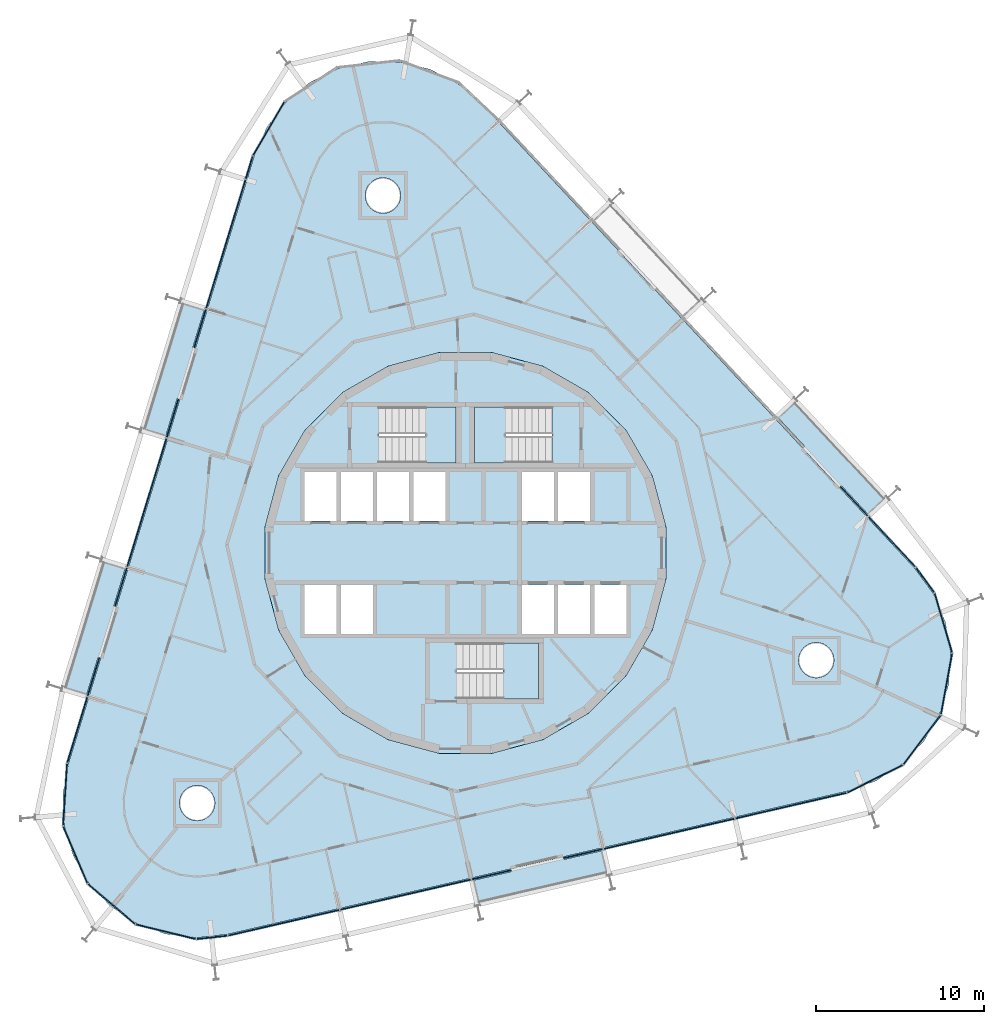
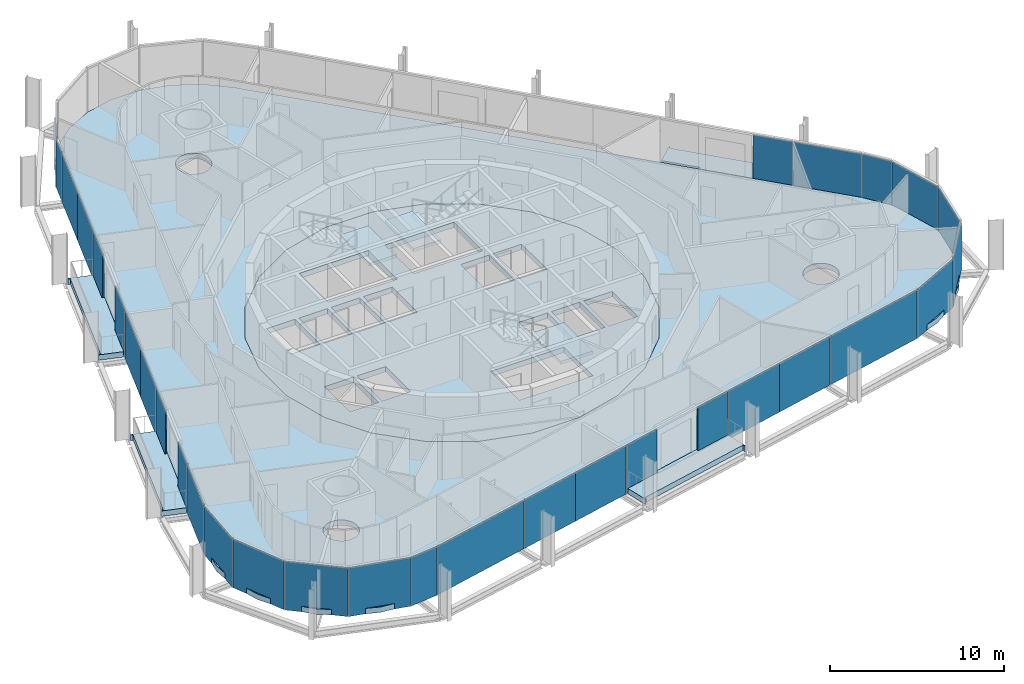
# One storey, part 10 of 18: 31 plates, 9 slabs, 9 elements without a shape of their own.
"""IFC4 building model written with IfcOpenShell, lengths in metres."""

from ifc_helpers import new_model, si_unit, direction, frame, origin, origin_2d, place, context, subcontext, project, spatial, polyline, rectangle, outline, extrude, material, layer, layer_set, type_object, element, aggregate, save


model = new_model("IFC4")

# Units and contexts
model_context = context("Model", 3, precision=1e-05, world=origin(), true_north=direction((0.0, 1.0)))
body_context = subcontext(model_context, "Body", "Model", "MODEL_VIEW")
ifc_project = project(units=[si_unit("LENGTHUNIT", "METRE"), si_unit("AREAUNIT", "SQUARE_METRE"), si_unit("VOLUMEUNIT", "CUBIC_METRE"), si_unit("PLANEANGLEUNIT", "RADIAN"), si_unit("MASSUNIT", "GRAM", prefix="KILO")], contexts=[model_context])

# Site, building, storey
site_placement = place(None, origin())
site = spatial("IfcSite", under=ifc_project, at=site_placement, CompositionType="ELEMENT")
building_placement = place(site_placement, origin())
building = spatial("IfcBuilding", under=site, at=building_placement, Name="Spindle Arch Residences", CompositionType="ELEMENT")
storey_placement = place(building_placement, frame((0.0, 0.0, 116.89990234375)))
storey = spatial("IfcBuildingStorey", under=building, at=storey_placement, Name="L28", CompositionType="ELEMENT", Elevation=116.89990234375)

# Slabs
ifc_material_1 = material(Name="Concrete C40/50", Category="concrete")
ifc_layer_1 = layer(ifc_material_1, 0.3798828125)
ifc_layer_set_1 = layer_set([ifc_layer_1], Name="Balcony slab 380")
slab_type_1 = type_object("IfcSlabType", Name="Balcony slab 380", PredefinedType="FLOOR", material=ifc_layer_set_1)
slab_1_placement = place(storey_placement, frame((0.0, 0.0, -0.3798828125)))
element("IfcSlab", 1, at=slab_1_placement, inside=storey, type_object=slab_type_1, Name="Balcony L28 bay 6", PredefinedType="FLOOR", context=body_context, shape_type="SweptSolid", body=[
    extrude(outline(polyline([(25.0107421875, 3.298095703125), (24.95947265625, 3.35302734375), (24.849853515625, 3.250732421875), (19.57861328125, 8.9033203125), (19.688232421875, 9.005615234375), (19.636962890625, 9.060546875), (18.54736328125, 8.04443359375), (20.142822265625, 6.333251953125), (20.02587890625, 6.22412109375), (22.208251953125, 3.8837890625), (22.325439453125, 3.992919921875), (23.9208984375, 2.281982421875), (25.0107421875, 3.298095703125)])), origin(), (0.0, 0.0, 1.0), 0.3798828125),
])
slab_2_placement = place(storey_placement, frame((0.0, 0.0, -0.3798828125)))
element("IfcSlab", 2, at=slab_2_placement, inside=storey, type_object=slab_type_1, Name="Balcony L28 bay 14", PredefinedType="FLOOR", context=body_context, shape_type="SweptSolid", body=[
    extrude(outline(polyline([(-16.926513671875, 14.891845703125), (-16.948486328125, 14.820068359375), (-16.804931640625, 14.7763671875), (-19.064697265625, 7.385009765625), (-19.208251953125, 7.4287109375), (-19.230224609375, 7.35693359375), (-17.80517578125, 6.92138671875), (-17.121337890625, 9.15869140625), (-16.96826171875, 9.112060546875), (-16.03271484375, 12.172119140625), (-16.185791015625, 12.218994140625), (-15.501708984375, 14.456298828125), (-16.926513671875, 14.891845703125)])), origin(), (0.0, 0.0, 1.0), 0.3798828125),
])
slab_3_placement = place(storey_placement, frame((0.0, 0.0, -0.3798828125)))
element("IfcSlab", 3, at=slab_3_placement, inside=storey, type_object=slab_type_1, Name="Balcony L28 bay 16", PredefinedType="FLOOR", context=body_context, shape_type="SweptSolid", body=[
    extrude(outline(polyline([(-21.62158203125, -0.46484375), (-21.6435546875, -0.536376953125), (-21.5, -0.580322265625), (-23.759765625, -7.9716796875), (-23.9033203125, -7.927978515625), (-23.92529296875, -7.999755859375), (-22.500244140625, -8.435302734375), (-21.816162109375, -6.197998046875), (-21.663330078125, -6.24462890625), (-20.727783203125, -3.1845703125), (-20.880615234375, -3.1376953125), (-20.196533203125, -0.900390625), (-21.62158203125, -0.46484375)])), origin(), (0.0, 0.0, 1.0), 0.3798828125),
])
slab_4_placement = place(storey_placement, frame((0.0, 0.0, -0.3798828125)))
element("IfcSlab", 4, at=slab_4_placement, inside=storey, type_object=slab_type_1, Name="Balcony L28 bay 22", PredefinedType="FLOOR", context=body_context, shape_type="SweptSolid", body=[
    extrude(outline(polyline([(0.781982421875, -20.900634765625), (0.855224609375, -20.8837890625), (0.821533203125, -20.737548828125), (8.3525390625, -18.9990234375), (8.38623046875, -19.14501953125), (8.459228515625, -19.128173828125), (8.1240234375, -17.676513671875), (5.844482421875, -18.20263671875), (5.80859375, -18.046875), (2.6904296875, -18.7666015625), (2.7265625, -18.922607421875), (0.447021484375, -19.44873046875), (0.781982421875, -20.900634765625)])), origin(), (0.0, 0.0, 1.0), 0.3798828125),
])
ifc_material_2 = material(Name="Concrete C50/60", Category="concrete")
ifc_layer_2 = layer(ifc_material_2, 0.3798828125)
ifc_layer_set_2 = layer_set([ifc_layer_2], Name="Core floor slab 380")
slab_type_2 = type_object("IfcSlabType", Name="Core floor slab 380", PredefinedType="FLOOR", material=ifc_layer_set_2)
slab_5_placement = place(storey_placement, frame((0.0, 0.0, -0.3798828125)))
element("IfcSlab", 5, at=slab_5_placement, inside=storey, type_object=slab_type_2, Name="Core floor L28", PredefinedType="FLOOR", context=body_context, shape_type="SweptSolid", body=[
    extrude(outline(polyline([(1.56640625, -11.897216796875), (4.59228515625, -11.086669921875), (7.30517578125, -9.520263671875), (9.520263671875, -7.30517578125), (11.086669921875, -4.59228515625), (11.897216796875, -1.56640625), (11.897216796875, 1.56640625), (11.086669921875, 4.59228515625), (9.520263671875, 7.30517578125), (7.30517578125, 9.520263671875), (4.59228515625, 11.086669921875), (1.56640625, 11.897216796875), (-1.56640625, 11.897216796875), (-4.59228515625, 11.086669921875), (-7.30517578125, 9.520263671875), (-9.520263671875, 7.30517578125), (-11.086669921875, 4.59228515625), (-11.897216796875, 1.56640625), (-11.897216796875, -1.56640625), (-11.086669921875, -4.59228515625), (-9.520263671875, -7.30517578125), (-7.30517578125, -9.520263671875), (-4.59228515625, -11.086669921875), (-1.56640625, -11.897216796875), (1.56640625, -11.897216796875)]), holes=[polyline([(-9.550048828125, 1.89990234375), (-7.64990234375, 1.89990234375), (-7.64990234375, 4.800048828125), (-9.550048828125, 4.800048828125), (-9.550048828125, 1.89990234375)]), polyline([(-7.39990234375, 1.89990234375), (-5.5, 1.89990234375), (-5.5, 4.800048828125), (-7.39990234375, 4.800048828125), (-7.39990234375, 1.89990234375)]), polyline([(-5.25, 1.89990234375), (-3.35009765625, 1.89990234375), (-3.35009765625, 4.800048828125), (-5.25, 4.800048828125), (-5.25, 1.89990234375)]), polyline([(-3.10009765625, 1.89990234375), (-1.199951171875, 1.89990234375), (-1.199951171875, 4.800048828125), (-3.10009765625, 4.800048828125), (-3.10009765625, 1.89990234375)]), polyline([(3.35009765625, 1.89990234375), (5.25, 1.89990234375), (5.25, 4.800048828125), (3.35009765625, 4.800048828125), (3.35009765625, 1.89990234375)]), polyline([(5.5, 1.89990234375), (7.39990234375, 1.89990234375), (7.39990234375, 4.800048828125), (5.5, 4.800048828125), (5.5, 1.89990234375)]), polyline([(-9.550048828125, -4.800048828125), (-7.64990234375, -4.800048828125), (-7.64990234375, -1.89990234375), (-9.550048828125, -1.89990234375), (-9.550048828125, -4.800048828125)]), polyline([(-7.39990234375, -4.800048828125), (-5.5, -4.800048828125), (-5.5, -1.89990234375), (-7.39990234375, -1.89990234375), (-7.39990234375, -4.800048828125)]), polyline([(3.35009765625, -4.800048828125), (5.25, -4.800048828125), (5.25, -1.89990234375), (3.35009765625, -1.89990234375), (3.35009765625, -4.800048828125)]), polyline([(5.5, -4.800048828125), (7.39990234375, -4.800048828125), (7.39990234375, -1.89990234375), (5.5, -1.89990234375), (5.5, -4.800048828125)]), polyline([(7.64990234375, -4.800048828125), (9.550048828125, -4.800048828125), (9.550048828125, -1.89990234375), (7.64990234375, -1.89990234375), (7.64990234375, -4.800048828125)]), polyline([(5.1298828125, 8.669921875), (0.550048828125, 8.669921875), (0.550048828125, 5.35009765625), (5.1298828125, 5.35009765625), (5.1298828125, 8.669921875)]), polyline([(-5.1298828125, 5.35009765625), (-0.550048828125, 5.35009765625), (-0.550048828125, 8.669921875), (-5.1298828125, 8.669921875), (-5.1298828125, 5.35009765625)]), polyline([(-0.530029296875, -8.669921875), (4.35009765625, -8.669921875), (4.35009765625, -5.35009765625), (-0.530029296875, -5.35009765625), (-0.530029296875, -8.669921875)])]), origin(), (0.0, 0.0, 1.0), 0.3798828125),
])

# Stair, slab
ifc_material_3 = material(Name="Concrete C50/60", Category="concrete")
stair_type = type_object("IfcStairType", Name="Exit stair 16 risers", PredefinedType="HALF_TURN_STAIR", material=ifc_material_3)
stair_1_placement = place(storey_placement, origin())
stair_1 = element("IfcStair", 6, at=stair_1_placement, inside=storey, type_object=stair_type, Name="L28 Exit stair ST1", PredefinedType="HALF_TURN_STAIR")
ifc_material_4 = material(Name="Concrete C50/60", Category="concrete")
ifc_layer_3 = layer(ifc_material_4, 0.219970703125)
ifc_layer_set_3 = layer_set([ifc_layer_3], Name="Exit stair landing 220")
slab_type_3 = type_object("IfcSlabType", Name="Exit stair landing 220", PredefinedType="LANDING", material=ifc_layer_set_3)
slab_6_placement = place(storey_placement, frame((0.0, 0.0, 1.530029296875)))
slab_6 = element("IfcSlab", 7, at=slab_6_placement, type_object=slab_type_3, Name="ST1 landing 1", PredefinedType="LANDING", context=body_context, shape_type="SweptSolid", body=[
    extrude(outline(polyline([(2.3701171875, 8.669921875), (0.550048828125, 8.669921875), (0.550048828125, 5.35009765625), (2.3701171875, 5.35009765625), (2.3701171875, 8.669921875)])), origin(), (0.0, 0.0, 1.0), 0.219970703125),
])
aggregate(stair_1, [slab_6])

stair_2_placement = place(storey_placement, origin())
stair_2 = element("IfcStair", 8, at=stair_2_placement, inside=storey, type_object=stair_type, Name="L28 Exit stair ST2", PredefinedType="HALF_TURN_STAIR")
slab_7_placement = place(storey_placement, frame((0.0, 0.0, 1.530029296875)))
slab_7 = element("IfcSlab", 9, at=slab_7_placement, type_object=slab_type_3, Name="ST2 landing 1", PredefinedType="LANDING", context=body_context, shape_type="SweptSolid", body=[
    extrude(outline(polyline([(-2.3701171875, 5.35009765625), (-0.550048828125, 5.35009765625), (-0.550048828125, 8.669921875), (-2.3701171875, 8.669921875), (-2.3701171875, 5.35009765625)])), origin(), (0.0, 0.0, 1.0), 0.219970703125),
])
aggregate(stair_2, [slab_7])

stair_3_placement = place(storey_placement, origin())
stair_3 = element("IfcStair", 10, at=stair_3_placement, inside=storey, type_object=stair_type, Name="L28 Exit stair ST3", PredefinedType="HALF_TURN_STAIR")
slab_8_placement = place(storey_placement, frame((0.0, 0.0, 1.530029296875)))
slab_8 = element("IfcSlab", 11, at=slab_8_placement, type_object=slab_type_3, Name="ST3 landing 1", PredefinedType="LANDING", context=body_context, shape_type="SweptSolid", body=[
    extrude(outline(polyline([(2.22998046875, -8.669921875), (4.35009765625, -8.669921875), (4.35009765625, -5.35009765625), (2.22998046875, -5.35009765625), (2.22998046875, -8.669921875)])), origin(), (0.0, 0.0, 1.0), 0.219970703125),
])
aggregate(stair_3, [slab_8])

# Slab
ifc_material_5 = material(Name="Concrete C40/50", Category="concrete")
ifc_layer_4 = layer(ifc_material_5, 0.3798828125)
ifc_layer_set_4 = layer_set([ifc_layer_4], Name="Floor slab 380")
slab_type_4 = type_object("IfcSlabType", Name="Floor slab 380", PredefinedType="FLOOR", material=ifc_layer_set_4)
slab_9_placement = place(storey_placement, frame((0.0, 0.0, -0.3798828125)))
element("IfcSlab", 12, at=slab_9_placement, inside=storey, type_object=slab_type_4, Name="Floor slab L28", PredefinedType="FLOOR", context=body_context, shape_type="SweptSolid", body=[
    extrude(outline(polyline([(-15.976806640625, -22.85498046875), (-17.8203125, -22.628662109375), (-19.56201171875, -21.983154296875), (-21.108154296875, -20.95361328125), (-22.375, -19.594970703125), (-23.294189453125, -17.98095703125), (-23.816650390625, -16.198486328125), (-23.913818359375, -14.343505859375), (-23.58056640625, -12.51611328125), (-12.55029296875, 23.5625), (-11.8046875, 25.263916015625), (-10.686767578125, 26.747314453125), (-9.257080078125, 27.932861328125), (-7.59228515625, 28.7568359375), (-5.7822265625, 29.1748046875), (-3.9248046875, 29.163818359375), (-2.1201171875, 28.72509765625), (-0.465087890625, 27.881591796875), (0.950927734375, 26.679443359375), (26.680908203125, -0.912353515625), (27.781494140625, -2.40869140625), (28.507080078125, -4.11865234375), (28.819091796875, -5.94970703125), (28.7001953125, -7.803466796875), (28.1572265625, -9.57958984375), (27.218994140625, -11.182861328125), (25.9365234375, -12.526611328125), (24.37890625, -13.5380859375), (22.629638671875, -14.163330078125), (4.24951171875, -18.40673828125), (-14.130615234375, -22.650146484375), (-15.976806640625, -22.85498046875)]), holes=[polyline([(7.30517578125, -9.520263671875), (9.520263671875, -7.30517578125), (11.086669921875, -4.59228515625), (11.897216796875, -1.56640625), (11.897216796875, 1.56640625), (11.086669921875, 4.59228515625), (9.520263671875, 7.30517578125), (7.30517578125, 9.520263671875), (4.59228515625, 11.086669921875), (1.56640625, 11.897216796875), (-1.56640625, 11.897216796875), (-4.59228515625, 11.086669921875), (-7.30517578125, 9.520263671875), (-9.520263671875, 7.30517578125), (-11.086669921875, 4.59228515625), (-11.897216796875, 1.56640625), (-11.897216796875, -1.56640625), (-11.086669921875, -4.59228515625), (-9.520263671875, -7.30517578125), (-7.30517578125, -9.520263671875), (-4.59228515625, -11.086669921875), (-1.56640625, -11.897216796875), (1.56640625, -11.897216796875), (4.59228515625, -11.086669921875), (7.30517578125, -9.520263671875)]), polyline([(-15.187744140625, -15.59765625), (-15.05712890625, -15.4384765625), (-14.960205078125, -15.257080078125), (-14.900390625, -15.06005859375), (-14.880126953125, -14.855224609375), (-14.900390625, -14.650390625), (-14.960205078125, -14.453369140625), (-15.05712890625, -14.27197265625), (-15.187744140625, -14.11279296875), (-15.346923828125, -13.982177734375), (-15.5283203125, -13.885009765625), (-15.725341796875, -13.825439453125), (-15.93017578125, -13.80517578125), (-16.135009765625, -13.825439453125), (-16.33203125, -13.885009765625), (-16.513427734375, -13.982177734375), (-16.672607421875, -14.11279296875), (-16.80322265625, -14.27197265625), (-16.900390625, -14.453369140625), (-16.9599609375, -14.650390625), (-16.980224609375, -14.855224609375), (-16.9599609375, -15.06005859375), (-16.900390625, -15.257080078125), (-16.80322265625, -15.4384765625), (-16.672607421875, -15.59765625), (-16.513427734375, -15.728271484375), (-16.33203125, -15.8251953125), (-16.135009765625, -15.885009765625), (-15.93017578125, -15.9052734375), (-15.725341796875, -15.885009765625), (-15.5283203125, -15.8251953125), (-15.346923828125, -15.728271484375), (-15.187744140625, -15.59765625)]), polyline([(-4.02685546875, 20.64013671875), (-3.9296875, 20.82177734375), (-3.8701171875, 21.018798828125), (-3.849853515625, 21.223388671875), (-3.8701171875, 21.42822265625), (-3.9296875, 21.625244140625), (-4.02685546875, 21.806884765625), (-4.1572265625, 21.966064453125), (-4.31640625, 22.096435546875), (-4.498046875, 22.193603515625), (-4.695068359375, 22.25341796875), (-4.89990234375, 22.2734375), (-5.1044921875, 22.25341796875), (-5.301513671875, 22.193603515625), (-5.483154296875, 22.096435546875), (-5.642333984375, 21.966064453125), (-5.772705078125, 21.806884765625), (-5.869873046875, 21.625244140625), (-5.9296875, 21.42822265625), (-5.94970703125, 21.223388671875), (-5.9296875, 21.018798828125), (-5.869873046875, 20.82177734375), (-5.772705078125, 20.64013671875), (-5.642333984375, 20.48095703125), (-5.483154296875, 20.3505859375), (-5.301513671875, 20.25341796875), (-5.1044921875, 20.193603515625), (-4.89990234375, 20.173583984375), (-4.695068359375, 20.193603515625), (-4.498046875, 20.25341796875), (-4.31640625, 20.3505859375), (-4.1572265625, 20.48095703125), (-4.02685546875, 20.64013671875)]), polyline([(21.702880859375, -6.95166015625), (21.800048828125, -6.770263671875), (21.85986328125, -6.5732421875), (21.8798828125, -6.368408203125), (21.85986328125, -6.16357421875), (21.800048828125, -5.966552734375), (21.702880859375, -5.78515625), (21.572509765625, -5.6259765625), (21.413330078125, -5.495361328125), (21.231689453125, -5.398193359375), (21.034912109375, -5.338623046875), (20.830078125, -5.318359375), (20.625244140625, -5.338623046875), (20.42822265625, -5.398193359375), (20.24658203125, -5.495361328125), (20.08740234375, -5.6259765625), (19.95703125, -5.78515625), (19.85986328125, -5.966552734375), (19.80029296875, -6.16357421875), (19.780029296875, -6.368408203125), (19.80029296875, -6.5732421875), (19.85986328125, -6.770263671875), (19.95703125, -6.95166015625), (20.08740234375, -7.11083984375), (20.24658203125, -7.241455078125), (20.42822265625, -7.33837890625), (20.625244140625, -7.398193359375), (20.830078125, -7.41845703125), (21.034912109375, -7.398193359375), (21.231689453125, -7.33837890625), (21.413330078125, -7.241455078125), (21.572509765625, -7.11083984375), (21.702880859375, -6.95166015625)])]), origin(), (0.0, 0.0, 1.0), 0.3798828125),
])

# Curtain wall, plates
ifc_material_6 = material(Name="Aluminium bronze unitised frame with tinted glass", Category="aluminium")
ifc_layer_5 = layer(ifc_material_6, 0.159912109375)
ifc_layer_set_5 = layer_set([ifc_layer_5], Name="CW-D corner wall on the fillet arcs")
curtain_wall_type_1 = type_object("IfcCurtainWallType", Name="CW-D corner wall on the fillet arcs", PredefinedType="NOTDEFINED", material=ifc_layer_set_5)
curtain_wall_1_placement = place(storey_placement, origin())
curtain_wall_1 = element("IfcCurtainWall", 13, at=curtain_wall_1_placement, inside=storey, type_object=curtain_wall_type_1, Name="CW-D L28 run 1", PredefinedType="NOTDEFINED")
ifc_material_7 = material(Name="Tinted double glazing over non-combustible spandrel zone with 0.55 mm stainless steel cavity fire stop (K0)", Category="steel")
ifc_layer_6 = layer(ifc_material_7, 0.070068359375)
ifc_layer_set_6 = layer_set([ifc_layer_6], Name="Unitised glass panel with spandrel zone and stainless cavity fire stop")
plate_type = type_object("IfcPlateType", Name="Unitised glass panel with spandrel zone and stainless cavity fire stop", PredefinedType="CURTAIN_PANEL", material=ifc_layer_set_6)
plate_1_placement = place(storey_placement, frame((19.3251953125, -15.00830078125, -0.3798828125), z_axis=(0.0, 0.0, 1.0), x_axis=(0.974370064785, 0.224951054344, 0.0)))
plate_1 = element("IfcPlate", 14, at=plate_1_placement, type_object=plate_type, Name="CW-D unit 00", PredefinedType="CURTAIN_PANEL", context=body_context, shape_type="SweptSolid", body=[
    extrude(rectangle(XDim=6.759765625, YDim=0.070068359375, at=origin_2d()), origin(), (0.0, 0.0, 1.0), 3.3798828125),
])
plate_2_placement = place(storey_placement, frame((24.317626953125, -13.414794921875, -0.3798828125), z_axis=(0.0, 0.0, 1.0), x_axis=(0.896228507614, 0.443592675931, 0.0)))
plate_2 = element("IfcPlate", 15, at=plate_2_placement, type_object=plate_type, Name="CW-D unit 01", PredefinedType="CURTAIN_PANEL", context=body_context, shape_type="SweptSolid", body=[
    extrude(rectangle(XDim=3.666748046875, YDim=0.070068359375, at=origin_2d()), origin(), (0.0, 0.0, 1.0), 3.3798828125),
])
plate_3_placement = place(storey_placement, frame((27.109130859375, -11.099853515625, -0.3798828125), z_axis=(0.0, 0.0, 1.0), x_axis=(0.601815021814, 0.798635511056, 0.0)))
plate_3 = element("IfcPlate", 16, at=plate_3_placement, type_object=plate_type, Name="CW-D unit 02", PredefinedType="CURTAIN_PANEL", context=body_context, shape_type="SweptSolid", body=[
    extrude(rectangle(XDim=3.666748046875, YDim=0.070068359375, at=origin_2d()), origin(), (0.0, 0.0, 1.0), 3.3798828125),
])
plate_4_placement = place(storey_placement, frame((28.564697265625, -7.778564453125, -0.3798828125), z_axis=(0.0, 0.0, 1.0), x_axis=(0.17937458782, 0.983780848179, 0.0)))
plate_4 = element("IfcPlate", 17, at=plate_4_placement, type_object=plate_type, Name="CW-D unit 03", PredefinedType="CURTAIN_PANEL", context=body_context, shape_type="SweptSolid", body=[
    extrude(rectangle(XDim=3.666748046875, YDim=0.070068359375, at=origin_2d()), origin(), (0.0, 0.0, 1.0), 3.3798828125),
])
plate_5_placement = place(storey_placement, frame((28.375, -4.1572265625, -0.3798828125), z_axis=(0.0, 0.0, 1.0), x_axis=(-0.281225052549, 0.959641844554, 0.0)))
plate_5 = element("IfcPlate", 18, at=plate_5_placement, type_object=plate_type, Name="CW-D unit 04", PredefinedType="CURTAIN_PANEL", context=body_context, shape_type="SweptSolid", body=[
    extrude(rectangle(XDim=3.666748046875, YDim=0.070068359375, at=origin_2d()), origin(), (0.0, 0.0, 1.0), 3.3798828125),
])
plate_6_placement = place(storey_placement, frame((27.295166015625, -1.613525390625, -0.3798828125), z_axis=(0.0, 0.0, 1.0), x_axis=(-0.592481951039, 0.805583724819, 0.0)))
plate_6 = element("IfcPlate", 19, at=plate_6_placement, type_object=plate_type, Name="CW-D unit 05", PredefinedType="CURTAIN_PANEL", context=body_context, shape_type="SweptSolid", body=[
    extrude(rectangle(XDim=1.816162109375, YDim=0.070068359375, at=origin_2d()), origin(), (0.0, 0.0, 1.0), 3.3798828125),
])
plate_7_placement = place(storey_placement, frame((25.326416015625, 0.6572265625, -0.3798828125), z_axis=(0.0, 0.0, 1.0), x_axis=(-0.681998360062, 0.731353701619, 0.0)))
plate_7 = element("IfcPlate", 20, at=plate_7_placement, type_object=plate_type, Name="CW-D unit 06", PredefinedType="CURTAIN_PANEL", context=body_context, shape_type="SweptSolid", body=[
    extrude(rectangle(XDim=4.08349609375, YDim=0.070068359375, at=origin_2d()), origin(), (0.0, 0.0, 1.0), 3.3798828125),
])
aggregate(curtain_wall_1, [plate_1, plate_2, plate_3, plate_4, plate_5, plate_6, plate_7])

# Curtain wall, plate
ifc_material_8 = material(Name="Aluminium bronze unitised frame with tinted glass", Category="aluminium")
ifc_layer_7 = layer(ifc_material_8, 0.159912109375)
ifc_layer_set_7 = layer_set([ifc_layer_7], Name="CW-C typical residential unitised wall")
curtain_wall_type_2 = type_object("IfcCurtainWallType", Name="CW-C typical residential unitised wall", PredefinedType="NOTDEFINED", material=ifc_layer_set_7)
curtain_wall_2_placement = place(storey_placement, origin())
curtain_wall_2 = element("IfcCurtainWall", 21, at=curtain_wall_2_placement, inside=storey, type_object=curtain_wall_type_2, Name="CW-C L28 run 2", PredefinedType="NOTDEFINED")
plate_8_placement = place(storey_placement, frame((23.079833984375, 3.06640625, -0.3798828125), z_axis=(0.0, 0.0, 1.0), x_axis=(-0.681998360062, 0.731353701619, 0.0)))
plate_8 = element("IfcPlate", 22, at=plate_8_placement, type_object=plate_type, Name="CW-C unit 05L", PredefinedType="CURTAIN_PANEL", context=body_context, shape_type="SweptSolid", body=[
    extrude(rectangle(XDim=2.384521484375, YDim=0.070068359375, at=origin_2d()), origin(), (0.0, 0.0, 1.0), 3.3798828125),
])
aggregate(curtain_wall_2, [plate_8])

# Curtain wall, plates
curtain_wall_3_placement = place(storey_placement, origin())
curtain_wall_3 = element("IfcCurtainWall", 23, at=curtain_wall_3_placement, inside=storey, type_object=curtain_wall_type_1, Name="CW-D L28 run 3", PredefinedType="NOTDEFINED")
plate_9_placement = place(storey_placement, frame((-11.685791015625, 25.194091796875, -0.3798828125), z_axis=(0.0, 0.0, 1.0), x_axis=(-0.505029844161, -0.863101880723, 0.0)))
plate_9 = element("IfcPlate", 24, at=plate_9_placement, type_object=plate_type, Name="CW-D unit 04", PredefinedType="CURTAIN_PANEL", context=body_context, shape_type="SweptSolid", body=[
    extrude(rectangle(XDim=3.666748046875, YDim=0.070068359375, at=origin_2d()), origin(), (0.0, 0.0, 1.0), 3.3798828125),
])
plate_10_placement = place(storey_placement, frame((-12.84130859375, 22.884521484375, -0.3798828125), z_axis=(0.0, 0.0, 1.0), x_axis=(-0.292371704723, -0.956304755963, 0.0)))
plate_10 = element("IfcPlate", 25, at=plate_10_placement, type_object=plate_type, Name="CW-D unit 05", PredefinedType="CURTAIN_PANEL", context=body_context, shape_type="SweptSolid", body=[
    extrude(rectangle(XDim=1.406982421875, YDim=0.070068359375, at=origin_2d()), origin(), (0.0, 0.0, 1.0), 3.3798828125),
])
aggregate(curtain_wall_3, [plate_9, plate_10])

curtain_wall_4_placement = place(storey_placement, origin())
curtain_wall_4 = element("IfcCurtainWall", 26, at=curtain_wall_4_placement, inside=storey, type_object=curtain_wall_type_2, Name="CW-C L28 run 4", PredefinedType="NOTDEFINED")
plate_11_placement = place(storey_placement, frame((-13.64697265625, 20.2490234375, -0.3798828125), z_axis=(0.0, 0.0, 1.0), x_axis=(-0.292371704723, -0.956304755963, 0.0)))
plate_11 = element("IfcPlate", 27, at=plate_11_placement, type_object=plate_type, Name="CW-C unit 12A", PredefinedType="CURTAIN_PANEL", context=body_context, shape_type="SweptSolid", body=[
    extrude(rectangle(XDim=3.984619140625, YDim=0.070068359375, at=origin_2d()), origin(), (0.0, 0.0, 1.0), 3.3798828125),
])
plate_12_placement = place(storey_placement, frame((-14.81201171875, 16.4384765625, -0.3798828125), z_axis=(0.0, 0.0, 1.0), x_axis=(-0.292371704723, -0.956304755963, 0.0)))
plate_12 = element("IfcPlate", 28, at=plate_12_placement, type_object=plate_type, Name="CW-C unit 12B", PredefinedType="CURTAIN_PANEL", context=body_context, shape_type="SweptSolid", body=[
    extrude(rectangle(XDim=3.984619140625, YDim=0.070068359375, at=origin_2d()), origin(), (0.0, 0.0, 1.0), 3.3798828125),
])
plate_13_placement = place(storey_placement, frame((-15.760498046875, 13.335693359375, -0.3798828125), z_axis=(0.0, 0.0, 1.0), x_axis=(-0.292371704723, -0.956304755963, 0.0)))
plate_13 = element("IfcPlate", 29, at=plate_13_placement, type_object=plate_type, Name="CW-C unit 13L", PredefinedType="CURTAIN_PANEL", context=body_context, shape_type="SweptSolid", body=[
    extrude(rectangle(XDim=2.384521484375, YDim=0.070068359375, at=origin_2d()), origin(), (0.0, 0.0, 1.0), 3.3798828125),
])
plate_14_placement = place(storey_placement, frame((-17.393310546875, 7.9951171875, -0.3798828125), z_axis=(0.0, 0.0, 1.0), x_axis=(-0.292371704723, -0.956304755963, 0.0)))
plate_14 = element("IfcPlate", 30, at=plate_14_placement, type_object=plate_type, Name="CW-C unit 13R", PredefinedType="CURTAIN_PANEL", context=body_context, shape_type="SweptSolid", body=[
    extrude(rectangle(XDim=2.384521484375, YDim=0.070068359375, at=origin_2d()), origin(), (0.0, 0.0, 1.0), 3.3798828125),
])
plate_15_placement = place(storey_placement, frame((-18.342041015625, 4.892333984375, -0.3798828125), z_axis=(0.0, 0.0, 1.0), x_axis=(-0.292371704723, -0.956304755963, 0.0)))
plate_15 = element("IfcPlate", 31, at=plate_15_placement, type_object=plate_type, Name="CW-C unit 14A", PredefinedType="CURTAIN_PANEL", context=body_context, shape_type="SweptSolid", body=[
    extrude(rectangle(XDim=3.984619140625, YDim=0.070068359375, at=origin_2d()), origin(), (0.0, 0.0, 1.0), 3.3798828125),
])
plate_16_placement = place(storey_placement, frame((-19.5068359375, 1.081787109375, -0.3798828125), z_axis=(0.0, 0.0, 1.0), x_axis=(-0.292371704723, -0.956304755963, 0.0)))
plate_16 = element("IfcPlate", 32, at=plate_16_placement, type_object=plate_type, Name="CW-C unit 14B", PredefinedType="CURTAIN_PANEL", context=body_context, shape_type="SweptSolid", body=[
    extrude(rectangle(XDim=3.984619140625, YDim=0.070068359375, at=origin_2d()), origin(), (0.0, 0.0, 1.0), 3.3798828125),
])
plate_17_placement = place(storey_placement, frame((-20.45556640625, -2.02099609375, -0.3798828125), z_axis=(0.0, 0.0, 1.0), x_axis=(-0.292371704723, -0.956304755963, 0.0)))
plate_17 = element("IfcPlate", 33, at=plate_17_placement, type_object=plate_type, Name="CW-C unit 15L", PredefinedType="CURTAIN_PANEL", context=body_context, shape_type="SweptSolid", body=[
    extrude(rectangle(XDim=2.384521484375, YDim=0.070068359375, at=origin_2d()), origin(), (0.0, 0.0, 1.0), 3.3798828125),
])
plate_18_placement = place(storey_placement, frame((-22.08837890625, -7.361572265625, -0.3798828125), z_axis=(0.0, 0.0, 1.0), x_axis=(-0.292371704723, -0.956304755963, 0.0)))
plate_18 = element("IfcPlate", 34, at=plate_18_placement, type_object=plate_type, Name="CW-C unit 15R", PredefinedType="CURTAIN_PANEL", context=body_context, shape_type="SweptSolid", body=[
    extrude(rectangle(XDim=2.384521484375, YDim=0.070068359375, at=origin_2d()), origin(), (0.0, 0.0, 1.0), 3.3798828125),
])
aggregate(curtain_wall_4, [plate_11, plate_12, plate_13, plate_14, plate_15, plate_16, plate_17, plate_18])

curtain_wall_5_placement = place(storey_placement, origin())
curtain_wall_5 = element("IfcCurtainWall", 35, at=curtain_wall_5_placement, inside=storey, type_object=curtain_wall_type_1, Name="CW-D L28 run 5", PredefinedType="NOTDEFINED")
plate_19_placement = place(storey_placement, frame((-23.051513671875, -10.511474609375, -0.3798828125), z_axis=(0.0, 0.0, 1.0), x_axis=(-0.292371704723, -0.956304755963, 0.0)))
plate_19 = element("IfcPlate", 36, at=plate_19_placement, type_object=plate_type, Name="CW-D unit 00", PredefinedType="CURTAIN_PANEL", context=body_context, shape_type="SweptSolid", body=[
    extrude(rectangle(XDim=4.08349609375, YDim=0.070068359375, at=origin_2d()), origin(), (0.0, 0.0, 1.0), 3.3798828125),
])
plate_20_placement = place(storey_placement, frame((-23.7763671875, -14.352294921875, -0.3798828125), z_axis=(0.0, 0.0, 1.0), x_axis=(-0.063951729226, -0.997952993046, 0.0)))
plate_20 = element("IfcPlate", 37, at=plate_20_placement, type_object=plate_type, Name="CW-D unit 01", PredefinedType="CURTAIN_PANEL", context=body_context, shape_type="SweptSolid", body=[
    extrude(rectangle(XDim=3.666748046875, YDim=0.070068359375, at=origin_2d()), origin(), (0.0, 0.0, 1.0), 3.3798828125),
])
plate_21_placement = place(storey_placement, frame((-23.16748046875, -17.92724609375, -0.3798828125), z_axis=(0.0, 0.0, 1.0), x_axis=(0.390731127124, -0.920504854032, 0.0)))
plate_21 = element("IfcPlate", 38, at=plate_21_placement, type_object=plate_type, Name="CW-D unit 02", PredefinedType="CURTAIN_PANEL", context=body_context, shape_type="SweptSolid", body=[
    extrude(rectangle(XDim=3.666748046875, YDim=0.070068359375, at=origin_2d()), origin(), (0.0, 0.0, 1.0), 3.3798828125),
])
plate_22_placement = place(storey_placement, frame((-21.018798828125, -20.848388671875, -0.3798828125), z_axis=(0.0, 0.0, 1.0), x_axis=(0.762291912042, -0.647233374321, 0.0)))
plate_22 = element("IfcPlate", 39, at=plate_22_placement, type_object=plate_type, Name="CW-D unit 03", PredefinedType="CURTAIN_PANEL", context=body_context, shape_type="SweptSolid", body=[
    extrude(rectangle(XDim=3.666748046875, YDim=0.070068359375, at=origin_2d()), origin(), (0.0, 0.0, 1.0), 3.3798828125),
])
plate_23_placement = place(storey_placement, frame((-17.787841796875, -22.49462890625, -0.3798828125), z_axis=(0.0, 0.0, 1.0), x_axis=(0.971686742139, -0.23627288281, 0.0)))
plate_23 = element("IfcPlate", 40, at=plate_23_placement, type_object=plate_type, Name="CW-D unit 04", PredefinedType="CURTAIN_PANEL", context=body_context, shape_type="SweptSolid", body=[
    extrude(rectangle(XDim=3.666748046875, YDim=0.070068359375, at=origin_2d()), origin(), (0.0, 0.0, 1.0), 3.3798828125),
])
plate_24_placement = place(storey_placement, frame((-15.044921875, -22.83154296875, -0.3798828125), z_axis=(0.0, 0.0, 1.0), x_axis=(0.993896946542, 0.110312554381, 0.0)))
plate_24 = element("IfcPlate", 41, at=plate_24_placement, type_object=plate_type, Name="CW-D unit 05", PredefinedType="CURTAIN_PANEL", context=body_context, shape_type="SweptSolid", body=[
    extrude(rectangle(XDim=1.816162109375, YDim=0.070068359375, at=origin_2d()), origin(), (0.0, 0.0, 1.0), 3.3798828125),
])
plate_25_placement = place(storey_placement, frame((-10.7900390625, -21.9609375, -0.3798828125), z_axis=(0.0, 0.0, 1.0), x_axis=(0.974370064785, 0.224951054344, 0.0)))
plate_25 = element("IfcPlate", 42, at=plate_25_placement, type_object=plate_type, Name="CW-D unit 06", PredefinedType="CURTAIN_PANEL", context=body_context, shape_type="SweptSolid", body=[
    extrude(rectangle(XDim=6.759765625, YDim=0.070068359375, at=origin_2d()), origin(), (0.0, 0.0, 1.0), 3.3798828125),
])
aggregate(curtain_wall_5, [plate_19, plate_20, plate_21, plate_22, plate_23, plate_24, plate_25])

curtain_wall_6_placement = place(storey_placement, origin())
curtain_wall_6 = element("IfcCurtainWall", 43, at=curtain_wall_6_placement, inside=storey, type_object=curtain_wall_type_2, Name="CW-C L28 run 6", PredefinedType="NOTDEFINED")
plate_26_placement = place(storey_placement, frame((-5.4970703125, -20.739013671875, -0.3798828125), z_axis=(0.0, 0.0, 1.0), x_axis=(0.974370064785, 0.224951054344, 0.0)))
plate_26 = element("IfcPlate", 44, at=plate_26_placement, type_object=plate_type, Name="CW-C unit 20A", PredefinedType="CURTAIN_PANEL", context=body_context, shape_type="SweptSolid", body=[
    extrude(rectangle(XDim=3.984619140625, YDim=0.070068359375, at=origin_2d()), origin(), (0.0, 0.0, 1.0), 3.3798828125),
])
plate_27_placement = place(storey_placement, frame((-1.61474609375, -19.8427734375, -0.3798828125), z_axis=(0.0, 0.0, 1.0), x_axis=(0.974370064785, 0.224951054344, 0.0)))
plate_27 = element("IfcPlate", 45, at=plate_27_placement, type_object=plate_type, Name="CW-C unit 20B", PredefinedType="CURTAIN_PANEL", context=body_context, shape_type="SweptSolid", body=[
    extrude(rectangle(XDim=3.984619140625, YDim=0.070068359375, at=origin_2d()), origin(), (0.0, 0.0, 1.0), 3.3798828125),
])
plate_28_placement = place(storey_placement, frame((1.546875, -19.11279296875, -0.3798828125), z_axis=(0.0, 0.0, 1.0), x_axis=(0.974370064785, 0.224951054344, 0.0)))
plate_28 = element("IfcPlate", 46, at=plate_28_placement, type_object=plate_type, Name="CW-C unit 21L", PredefinedType="CURTAIN_PANEL", context=body_context, shape_type="SweptSolid", body=[
    extrude(rectangle(XDim=2.384521484375, YDim=0.070068359375, at=origin_2d()), origin(), (0.0, 0.0, 1.0), 3.3798828125),
])
plate_29_placement = place(storey_placement, frame((6.98828125, -17.8564453125, -0.3798828125), z_axis=(0.0, 0.0, 1.0), x_axis=(0.974370064785, 0.224951054344, 0.0)))
plate_29 = element("IfcPlate", 47, at=plate_29_placement, type_object=plate_type, Name="CW-C unit 21R", PredefinedType="CURTAIN_PANEL", context=body_context, shape_type="SweptSolid", body=[
    extrude(rectangle(XDim=2.384521484375, YDim=0.070068359375, at=origin_2d()), origin(), (0.0, 0.0, 1.0), 3.3798828125),
])
plate_30_placement = place(storey_placement, frame((10.149658203125, -17.126708984375, -0.3798828125), z_axis=(0.0, 0.0, 1.0), x_axis=(0.974370064785, 0.224951054344, 0.0)))
plate_30 = element("IfcPlate", 48, at=plate_30_placement, type_object=plate_type, Name="CW-C unit 00A", PredefinedType="CURTAIN_PANEL", context=body_context, shape_type="SweptSolid", body=[
    extrude(rectangle(XDim=3.984619140625, YDim=0.070068359375, at=origin_2d()), origin(), (0.0, 0.0, 1.0), 3.3798828125),
])
plate_31_placement = place(storey_placement, frame((14.0322265625, -16.230224609375, -0.3798828125), z_axis=(0.0, 0.0, 1.0), x_axis=(0.974370064785, 0.224951054344, 0.0)))
plate_31 = element("IfcPlate", 49, at=plate_31_placement, type_object=plate_type, Name="CW-C unit 00B", PredefinedType="CURTAIN_PANEL", context=body_context, shape_type="SweptSolid", body=[
    extrude(rectangle(XDim=3.984619140625, YDim=0.070068359375, at=origin_2d()), origin(), (0.0, 0.0, 1.0), 3.3798828125),
])
aggregate(curtain_wall_6, [plate_26, plate_27, plate_28, plate_29, plate_30, plate_31])

save(model, "model.ifc")
